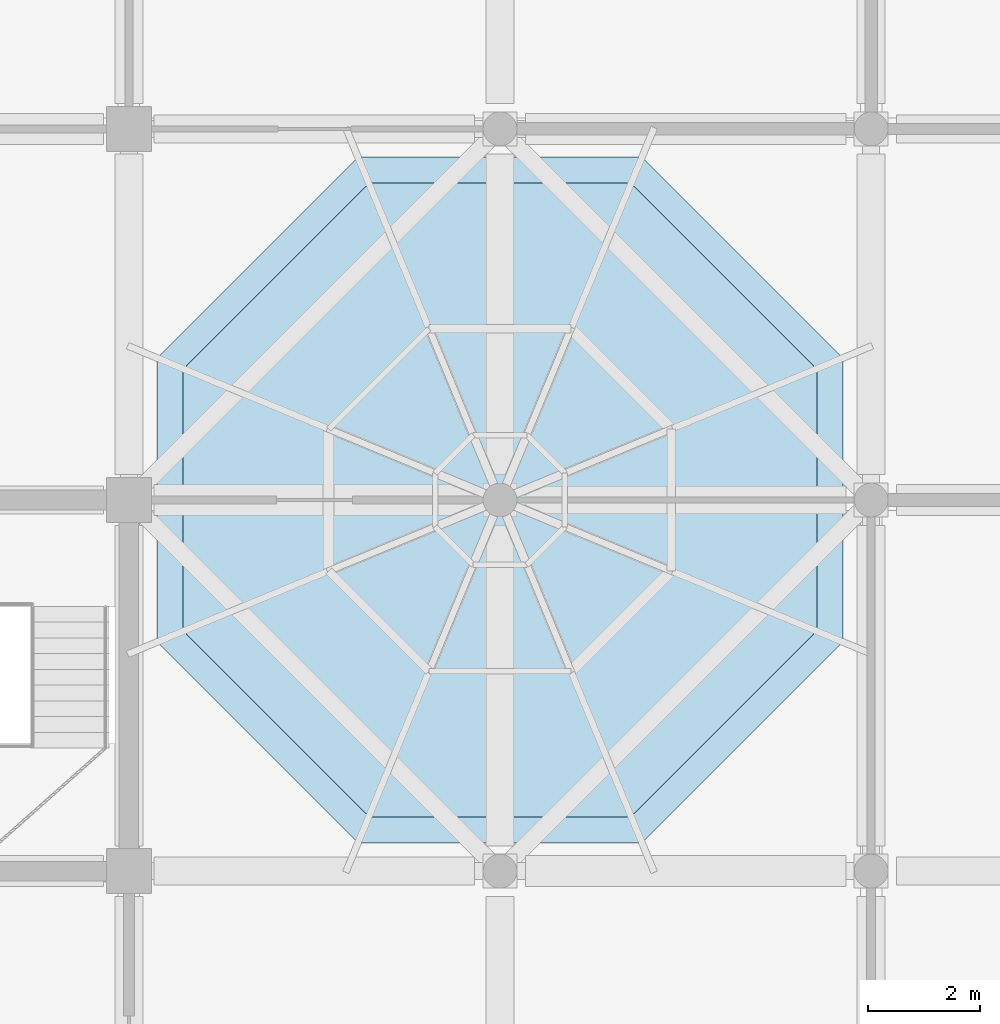
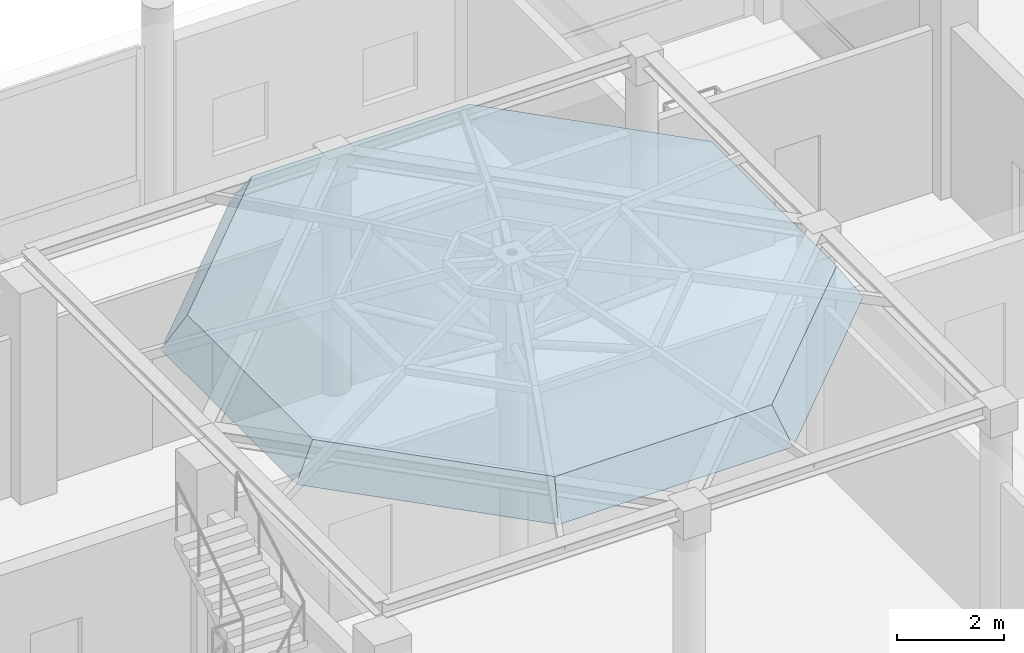
# One storey, part 30 of 34: 1 roof.
"""IFC4 building model written with IfcOpenShell, lengths in metres."""

from ifc_helpers import new_model, si_unit, direction, frame, origin, place, context, subcontext, project, spatial, polygons, material, layer, layer_set, type_object, element, save


model = new_model("IFC4")

# Units and contexts
model_context = context("Model", 3, precision=1e-05, world=origin(), true_north=direction((0.0, 1.0)))
body_context = subcontext(model_context, "Body", "Model", "MODEL_VIEW")
ifc_project = project(units=[si_unit("LENGTHUNIT", "METRE"), si_unit("AREAUNIT", "SQUARE_METRE"), si_unit("VOLUMEUNIT", "CUBIC_METRE"), si_unit("PLANEANGLEUNIT", "RADIAN"), si_unit("MASSUNIT", "GRAM", prefix="KILO")], contexts=[model_context])

# Site, building, storey
site_placement = place(None, origin())
site = spatial("IfcSite", under=ifc_project, at=site_placement, CompositionType="ELEMENT")
building_placement = place(site_placement, origin())
building = spatial("IfcBuilding", under=site, at=building_placement, Name="Rusizi Kubbe Research Institute", CompositionType="ELEMENT")
storey_placement = place(building_placement, frame((0.0, 0.0, 5.39990234375)))
storey = spatial("IfcBuildingStorey", under=building, at=storey_placement, Name="L01", CompositionType="ELEMENT", Elevation=5.39990234375)

# Roof
ifc_material = material(Name="Standing Seam Zinc Insulated Shell")
ifc_layer = layer(ifc_material, 0.179931640625)
ifc_layer_set = layer_set([ifc_layer], Name="Standing Seam Zinc Insulated Shell")
roof_type = type_object("IfcRoofType", Name="RF-04", PredefinedType="DOME_ROOF", material=ifc_layer_set)
roof_placement = place(storey_placement, frame((85.800048828125, 13.199951171875, 5.4501953125)))
element("IfcRoof", 1, at=roof_placement, inside=storey, type_object=roof_type, Name="East Portal Kubbe Cupola Roof", PredefinedType="DOME_ROOF", context=body_context, shape_type="Tessellation", body=[
    polygons([(6.09765625, 2.525634765625, 0.0), (2.525634765625, 6.09765625, 0.0), (-2.525634765625, 6.09765625, 0.0), (-6.09765625, 2.525634765625, 0.0), (-6.09765625, -2.525634765625, 0.0), (-2.525634765625, -6.09765625, 0.0), (2.525634765625, -6.09765625, 0.0), (6.09765625, -2.525634765625, 0.0), (5.633544921875, 2.33349609375, 0.746337890625), (2.33349609375, 5.633544921875, 0.746337890625), (-2.33349609375, 5.633544921875, 0.746337890625), (-5.633544921875, 2.33349609375, 0.746337890625), (-5.633544921875, -2.33349609375, 0.746337890625), (-2.33349609375, -5.633544921875, 0.746337890625), (2.33349609375, -5.633544921875, 0.746337890625), (5.633544921875, -2.33349609375, 0.746337890625), (4.311767578125, 1.785888671875, 1.37890625), (1.785888671875, 4.311767578125, 1.37890625), (-1.785888671875, 4.311767578125, 1.37890625), (-4.311767578125, 1.785888671875, 1.37890625), (-4.311767578125, -1.785888671875, 1.37890625), (-1.785888671875, -4.311767578125, 1.37890625), (1.785888671875, -4.311767578125, 1.37890625), (4.311767578125, -1.785888671875, 1.37890625), (2.33349609375, 0.966552734375, 1.801513671875), (0.966552734375, 2.33349609375, 1.801513671875), (-0.966552734375, 2.33349609375, 1.801513671875), (-2.33349609375, 0.966552734375, 1.801513671875), (-2.33349609375, -0.966552734375, 1.801513671875), (-0.966552734375, -2.33349609375, 1.801513671875), (0.966552734375, -2.33349609375, 1.801513671875), (2.33349609375, -0.966552734375, 1.801513671875), (0.0, 0.0, 1.949951171875), (5.931396484375, 2.456787109375, 0.0), (2.456787109375, 5.931396484375, 0.0), (-2.456787109375, 5.931396484375, 0.0), (-5.931396484375, 2.456787109375, 0.0), (-5.931396484375, -2.456787109375, 0.0), (-2.456787109375, -5.931396484375, 0.0), (2.456787109375, -5.931396484375, 0.0), (5.931396484375, -2.456787109375, 0.0), (5.479736328125, 2.269775390625, 0.67724609375), (2.269775390625, 5.479736328125, 0.67724609375), (-2.269775390625, 5.479736328125, 0.67724609375), (-5.479736328125, 2.269775390625, 0.67724609375), (-5.479736328125, -2.269775390625, 0.67724609375), (-2.269775390625, -5.479736328125, 0.67724609375), (2.269775390625, -5.479736328125, 0.67724609375), (5.479736328125, -2.269775390625, 0.67724609375), (4.194091796875, 1.7373046875, 1.25146484375), (1.7373046875, 4.194091796875, 1.25146484375), (-1.7373046875, 4.194091796875, 1.25146484375), (-4.194091796875, 1.7373046875, 1.25146484375), (-4.194091796875, -1.7373046875, 1.25146484375), (-1.7373046875, -4.194091796875, 1.25146484375), (1.7373046875, -4.194091796875, 1.25146484375), (4.194091796875, -1.7373046875, 1.25146484375), (2.269775390625, 0.940185546875, 1.63525390625), (0.940185546875, 2.269775390625, 1.63525390625), (-0.940185546875, 2.269775390625, 1.63525390625), (-2.269775390625, 0.940185546875, 1.63525390625), (-2.269775390625, -0.940185546875, 1.63525390625), (-0.940185546875, -2.269775390625, 1.63525390625), (0.940185546875, -2.269775390625, 1.63525390625), (2.269775390625, -0.940185546875, 1.63525390625), (0.0, 0.0, 1.77001953125)], [[[1, 2, 10, 9]], [[2, 3, 11, 10]], [[3, 4, 12, 11]], [[4, 5, 13, 12]], [[5, 6, 14, 13]], [[6, 7, 15, 14]], [[7, 8, 16, 15]], [[8, 1, 9, 16]], [[9, 10, 18, 17]], [[10, 11, 19, 18]], [[11, 12, 20, 19]], [[12, 13, 21, 20]], [[13, 14, 22, 21]], [[14, 15, 23, 22]], [[15, 16, 24, 23]], [[16, 9, 17, 24]], [[17, 18, 26, 25]], [[18, 19, 27, 26]], [[19, 20, 28, 27]], [[20, 21, 29, 28]], [[21, 22, 30, 29]], [[22, 23, 31, 30]], [[23, 24, 32, 31]], [[24, 17, 25, 32]], [[25, 26, 33]], [[26, 27, 33]], [[27, 28, 33]], [[28, 29, 33]], [[29, 30, 33]], [[30, 31, 33]], [[31, 32, 33]], [[32, 25, 33]], [[34, 42, 43, 35]], [[35, 43, 44, 36]], [[36, 44, 45, 37]], [[37, 45, 46, 38]], [[38, 46, 47, 39]], [[39, 47, 48, 40]], [[40, 48, 49, 41]], [[41, 49, 42, 34]], [[42, 50, 51, 43]], [[43, 51, 52, 44]], [[44, 52, 53, 45]], [[45, 53, 54, 46]], [[46, 54, 55, 47]], [[47, 55, 56, 48]], [[48, 56, 57, 49]], [[49, 57, 50, 42]], [[50, 58, 59, 51]], [[51, 59, 60, 52]], [[52, 60, 61, 53]], [[53, 61, 62, 54]], [[54, 62, 63, 55]], [[55, 63, 64, 56]], [[56, 64, 65, 57]], [[57, 65, 58, 50]], [[58, 66, 59]], [[59, 66, 60]], [[60, 66, 61]], [[61, 66, 62]], [[62, 66, 63]], [[63, 66, 64]], [[64, 66, 65]], [[65, 66, 58]], [[1, 34, 35, 2]], [[2, 35, 36, 3]], [[3, 36, 37, 4]], [[4, 37, 38, 5]], [[5, 38, 39, 6]], [[6, 39, 40, 7]], [[7, 40, 41, 8]], [[8, 41, 34, 1]]], closed=True),
])

save(model, "model.ifc")
